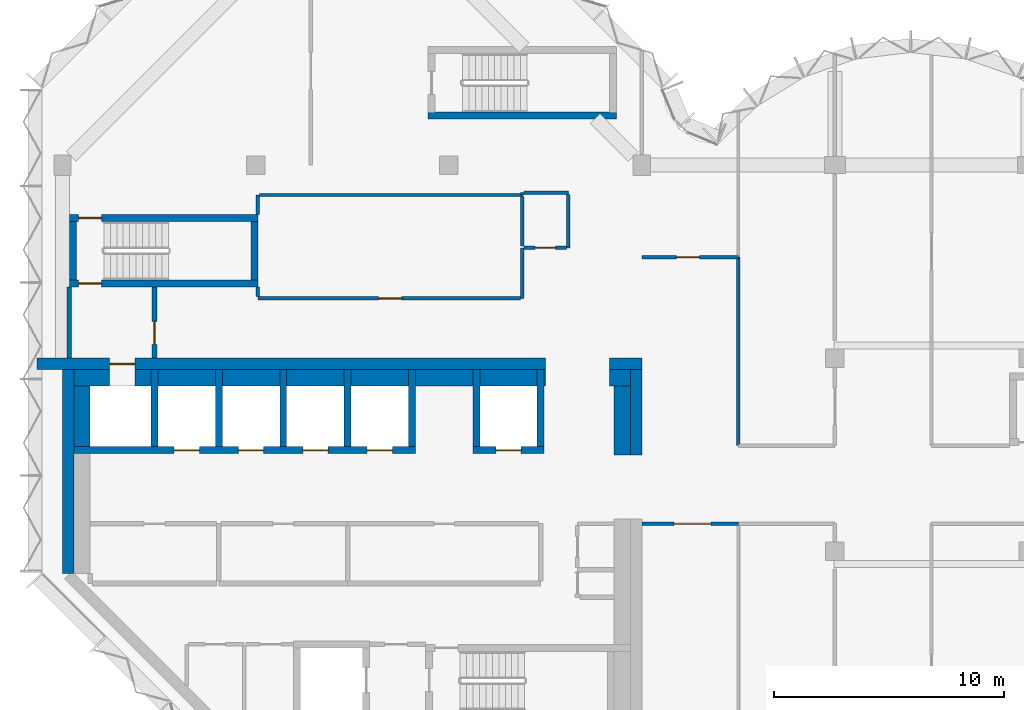
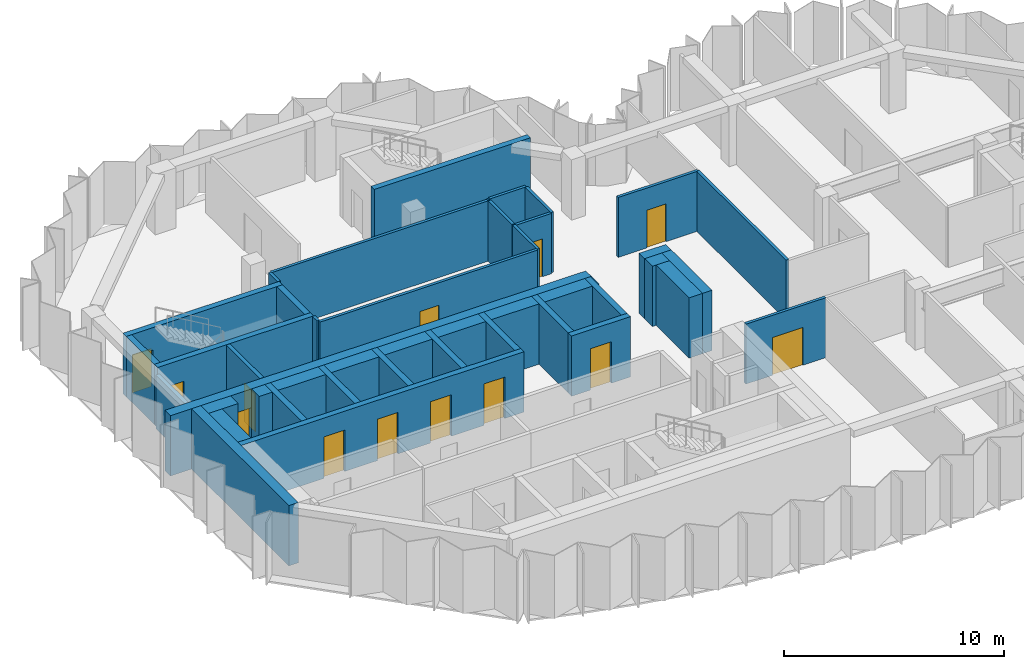
# One storey, part 7 of 11: 45 walls, 13 doors, 13 openings.
"""IFC4 building model written with IfcOpenShell, lengths in metres."""

from ifc_helpers import new_model, si_unit, direction, frame, frame_2d, origin, place, context, subcontext, project, spatial, rectangle, extrude, material, layer, layer_set, type_object, element, fill, save


model = new_model("IFC4")

# Units and contexts
model_context = context("Model", 3, precision=1e-05, world=origin(), true_north=direction((0.0, 1.0)))
body_context = subcontext(model_context, "Body", "Model", "MODEL_VIEW")
ifc_project = project(units=[si_unit("LENGTHUNIT", "METRE"), si_unit("AREAUNIT", "SQUARE_METRE"), si_unit("VOLUMEUNIT", "CUBIC_METRE"), si_unit("PLANEANGLEUNIT", "RADIAN"), si_unit("MASSUNIT", "GRAM", prefix="KILO")], contexts=[model_context])

# Site, building, storey
site_placement = place(None, origin())
site = spatial("IfcSite", under=ifc_project, at=site_placement, CompositionType="ELEMENT")
building_placement = place(site_placement, origin())
building = spatial("IfcBuilding", under=site, at=building_placement, Name="Brevane Broadcast Tower", CompositionType="ELEMENT")
storey_placement = place(building_placement, frame((0.0, 0.0, 219.300048828125)))
storey = spatial("IfcBuildingStorey", under=building, at=storey_placement, Name="L55", CompositionType="ELEMENT", Elevation=219.300048828125)

# Walls
ifc_material_1 = material(Name="Concrete C32/40", Category="concrete")
ifc_layer_1 = layer(ifc_material_1, 0.699951171875)
ifc_layer_set_1 = layer_set([ifc_layer_1], Name="Core chase wall 700 mm")
wall_type_1 = type_object("IfcWallType", Name="Core chase wall 700 mm", PredefinedType="PARTITIONING", material=ifc_layer_set_1)
wall_1_placement = place(storey_placement, frame((24.35009765625, 12.60009765625, 0.0), z_axis=(0.0, 0.0, 1.0), x_axis=(0.0, 1.0, 0.0)))
element("IfcWall", 1, at=wall_1_placement, inside=storey, type_object=wall_type_1, Name="L55 chase wall LE2", PredefinedType="PARTITIONING", context=body_context, shape_type="SweptSolid", body=[
    extrude(rectangle(XDim=3.0, YDim=0.699951171875, at=frame_2d((1.5, 0.0))), origin(), (0.0, 0.0, 1.0), 3.349853515625),
])
wall_2_placement = place(storey_placement, frame((0.5, 15.949951171875, 0.0), z_axis=(0.0, 0.0, 1.0), x_axis=(1.0, 0.0, 0.0)))
element("IfcWall", 2, at=wall_2_placement, inside=storey, type_object=wall_type_1, Name="L55 chase wall LN0", PredefinedType="PARTITIONING", context=body_context, shape_type="SweptSolid", body=[
    extrude(rectangle(XDim=1.550048828125, YDim=0.699951171875, at=frame_2d((0.77490234375, 0.0))), origin(), (0.0, 0.0, 1.0), 3.349853515625),
])
wall_3_placement = place(storey_placement, frame((23.800048828125, 15.949951171875, 0.0), z_axis=(0.0, 0.0, 1.0), x_axis=(1.0, 0.0, 0.0)))
element("IfcWall", 3, at=wall_3_placement, inside=storey, type_object=wall_type_1, Name="L55 chase wall LN2", PredefinedType="PARTITIONING", context=body_context, shape_type="SweptSolid", body=[
    extrude(rectangle(XDim=0.89990234375, YDim=0.699951171875, at=frame_2d((0.449951171875, 0.0))), origin(), (0.0, 0.0, 1.0), 3.349853515625),
])
wall_4_placement = place(storey_placement, frame((0.85009765625, 12.949951171875, 0.0), z_axis=(0.0, 0.0, 1.0), x_axis=(0.0, 1.0, 0.0)))
element("IfcWall", 4, at=wall_4_placement, inside=storey, type_object=wall_type_1, Name="L55 chase wall LW-2", PredefinedType="PARTITIONING", context=body_context, shape_type="SweptSolid", body=[
    extrude(rectangle(XDim=2.650146484375, YDim=0.699951171875, at=frame_2d((1.3251953125, 0.0))), origin(), (0.0, 0.0, 1.0), 3.349853515625),
])
wall_5_placement = place(storey_placement, frame((3.14990234375, 15.949951171875, 0.0), z_axis=(0.0, 0.0, 1.0), x_axis=(1.0, 0.0, 0.0)))
element("IfcWall", 5, at=wall_5_placement, inside=storey, type_object=wall_type_1, Name="L55 chase wall LN1-1", PredefinedType="PARTITIONING", context=body_context, shape_type="SweptSolid", body=[
    extrude(rectangle(XDim=0.7001953125, YDim=0.699951171875, at=frame_2d((0.35009765625, 0.0))), origin(), (0.0, 0.0, 1.0), 3.349853515625),
])
for number, where, z_axis, x_axis, name in (
    (6, (4.14990234375, 15.949951171875, 0.0), (0.0, 0.0, 1.0), (1.0, 0.0, 0.0), "L55 chase wall LN1-2-1"),
    (7, (6.949951171875, 15.949951171875, 0.0), (0.0, 0.0, 1.0), (1.0, 0.0, 0.0), "L55 chase wall LN1-2-2-1"),
    (8, (9.75, 15.949951171875, 0.0), (0.0, 0.0, 1.0), (1.0, 0.0, 0.0), "L55 chase wall LN1-2-2-2-1"),
    (9, (12.550048828125, 15.949951171875, 0.0), (0.0, 0.0, 1.0), (1.0, 0.0, 0.0), "L55 chase wall LN1-2-2-2-2-1"),
    (10, (15.35009765625, 15.949951171875, 0.0), (0.0, 0.0, 1.0), (1.0, 0.0, 0.0), "L55 chase wall LN1-2-2-2-2-2-1"),
    (11, (18.14990234375, 15.949951171875, 0.0), (0.0, 0.0, 1.0), (1.0, 0.0, 0.0), "L55 chase wall LN1-2-2-2-2-2-2-1"),
):
    element("IfcWall", number, at=place(storey_placement, frame(where, z_axis=z_axis, x_axis=x_axis)), inside=storey, type_object=wall_type_1, Name=name, PredefinedType="PARTITIONING", context=body_context, shape_type="SweptSolid", body=[
        extrude(rectangle(XDim=2.5, YDim=0.699951171875, at=frame_2d((1.25, 0.0))), origin(), (0.0, 0.0, 1.0), 3.349853515625),
    ])
wall_6_placement = place(storey_placement, frame((20.949951171875, 15.949951171875, 0.0), z_axis=(0.0, 0.0, 1.0), x_axis=(1.0, 0.0, 0.0)))
element("IfcWall", 12, at=wall_6_placement, inside=storey, type_object=wall_type_1, Name="L55 chase wall LN1-2-2-2-2-2-2-2", PredefinedType="PARTITIONING", context=body_context, shape_type="SweptSolid", body=[
    extrude(rectangle(XDim=0.050048828125, YDim=0.699951171875, at=frame_2d((0.02490234375, 0.0))), origin(), (0.0, 0.0, 1.0), 3.349853515625),
])
ifc_material_2 = material(Name="Gypsum board on steel studs", Category="steel")
ifc_layer_2 = layer(ifc_material_2, 0.14990234375)
ifc_layer_set_2 = layer_set([ifc_layer_2], Name="Core fire partition 150 mm")
wall_type_2 = type_object("IfcWallType", Name="Core fire partition 150 mm", PredefinedType="PARTITIONING", material=ifc_layer_set_2)
wall_7_placement = place(storey_placement, frame((20.0, 21.60009765625, 0.0), z_axis=(0.0, 0.0, 1.0), x_axis=(0.0, -1.0, 0.0)))
element("IfcWall", 13, at=wall_7_placement, inside=storey, type_object=wall_type_2, Name="L55 partition wall P22", PredefinedType="PARTITIONING", context=body_context, shape_type="SweptSolid", body=[
    extrude(rectangle(XDim=2.2001953125, YDim=0.14990234375, at=frame_2d((1.10009765625, 0.0))), origin(), (0.0, 0.0, 1.0), 3.349853515625),
])

# Wall, opening, door
wall_8_placement = place(storey_placement, frame((19.925048828125, 19.39990234375, 0.0), z_axis=(0.0, 0.0, 1.0), x_axis=(-1.0, 0.0, 0.0)))
wall_8 = element("IfcWall", 14, at=wall_8_placement, inside=storey, type_object=wall_type_2, Name="L55 partition wall P23", PredefinedType="PARTITIONING", context=body_context, shape_type="SweptSolid", body=[
    extrude(rectangle(XDim=11.425048828125, YDim=0.14990234375, at=frame_2d((5.71240234375, 0.0))), origin(), (0.0, 0.0, 1.0), 3.349853515625),
])
opening_1_placement = place(wall_8_placement, frame((5.175048828125, 0.0, 0.0)))
opening_1 = element("IfcOpeningElement", 15, at=opening_1_placement, cuts=wall_8, Name="Opening L55-K24", PredefinedType="OPENING", context=body_context, shape_type="SweptSolid", body=[
    extrude(rectangle(XDim=1.0, YDim=2.10009765625, at=frame_2d((0.5, 1.050048828125))), frame((0.0, 0.0849609375, 0.0), z_axis=(0.0, -1.0, 0.0), x_axis=(1.0, 0.0, 0.0)), (0.0, 0.0, 1.0), 0.169921875),
])
ifc_material_3 = material(Name="Steel", Category="steel")
door_type_1 = type_object("IfcDoorType", Name="Service room door 1000 x 2100", OperationType="SINGLE_SWING_LEFT", PredefinedType="DOOR", material=ifc_material_3)
door_1_placement = place(opening_1_placement, origin())
door_1 = element("IfcDoor", 16, at=door_1_placement, inside=storey, type_object=door_type_1, Name="Door L55-K24", OperationType="SINGLE_SWING_RIGHT", OverallHeight=2.10009765625, OverallWidth=1.0, PredefinedType="DOOR", context=body_context, shape_type="SweptSolid", body=[
    extrude(rectangle(XDim=1.0, YDim=2.10009765625, at=frame_2d((0.5, 1.050048828125))), frame((0.0, 0.02490234375, 0.0), z_axis=(0.0, -1.0, 0.0), x_axis=(1.0, 0.0, 0.0)), (0.0, 0.0, 1.0), 0.050048828125),
])
fill(opening_1, door_1)

# Walls
wall_9_placement = place(storey_placement, frame((8.5, 19.47509765625, 0.0), z_axis=(0.0, 0.0, 1.0), x_axis=(0.0, 1.0, 0.0)))
element("IfcWall", 17, at=wall_9_placement, inside=storey, type_object=wall_type_2, Name="L55 partition wall P24", PredefinedType="PARTITIONING", context=body_context, shape_type="SweptSolid", body=[
    extrude(rectangle(XDim=0.412841796875, YDim=0.14990234375, at=frame_2d((0.20654296875, 0.0))), origin(), (0.0, 0.0, 1.0), 3.349853515625),
])
wall_10_placement = place(storey_placement, frame((8.5, 23.06201171875, 0.0), z_axis=(0.0, 0.0, 1.0), x_axis=(0.0, 1.0, 0.0)))
element("IfcWall", 18, at=wall_10_placement, inside=storey, type_object=wall_type_2, Name="L55 partition wall P25", PredefinedType="PARTITIONING", context=body_context, shape_type="SweptSolid", body=[
    extrude(rectangle(XDim=0.837890625, YDim=0.14990234375, at=frame_2d((0.4189453125, 0.0))), origin(), (0.0, 0.0, 1.0), 3.349853515625),
])
wall_11_placement = place(storey_placement, frame((8.574951171875, 23.89990234375, 0.0), z_axis=(0.0, 0.0, 1.0), x_axis=(1.0, 0.0, 0.0)))
element("IfcWall", 19, at=wall_11_placement, inside=storey, type_object=wall_type_2, Name="L55 partition wall P26", PredefinedType="PARTITIONING", context=body_context, shape_type="SweptSolid", body=[
    extrude(rectangle(XDim=11.425048828125, YDim=0.14990234375, at=frame_2d((5.71240234375, 0.0))), origin(), (0.0, 0.0, 1.0), 3.349853515625),
])
wall_12_placement = place(storey_placement, frame((20.0, 23.89990234375, 0.0), z_axis=(0.0, 0.0, 1.0), x_axis=(0.0, 1.0, 0.0)))
element("IfcWall", 20, at=wall_12_placement, inside=storey, type_object=wall_type_2, Name="L55 partition wall P27", PredefinedType="PARTITIONING", context=body_context, shape_type="SweptSolid", body=[
    extrude(rectangle(XDim=0.10009765625, YDim=0.14990234375, at=frame_2d((0.050048828125, 0.0))), origin(), (0.0, 0.0, 1.0), 3.349853515625),
])
wall_13_placement = place(storey_placement, frame((20.074951171875, 24.0, 0.0), z_axis=(0.0, 0.0, 1.0), x_axis=(1.0, 0.0, 0.0)))
element("IfcWall", 21, at=wall_13_placement, inside=storey, type_object=wall_type_2, Name="L55 partition wall P28", PredefinedType="PARTITIONING", context=body_context, shape_type="SweptSolid", body=[
    extrude(rectangle(XDim=1.925048828125, YDim=0.14990234375, at=frame_2d((0.96240234375, 0.0))), origin(), (0.0, 0.0, 1.0), 3.349853515625),
])
wall_14_placement = place(storey_placement, frame((22.0, 23.925048828125, 0.0), z_axis=(0.0, 0.0, 1.0), x_axis=(0.0, -1.0, 0.0)))
element("IfcWall", 22, at=wall_14_placement, inside=storey, type_object=wall_type_2, Name="L55 partition wall P29", PredefinedType="PARTITIONING", context=body_context, shape_type="SweptSolid", body=[
    extrude(rectangle(XDim=2.324951171875, YDim=0.14990234375, at=frame_2d((1.16259765625, 0.0))), origin(), (0.0, 0.0, 1.0), 3.349853515625),
])

# Wall, opening, door
wall_15_placement = place(storey_placement, frame((21.925048828125, 21.60009765625, 0.0), z_axis=(0.0, 0.0, 1.0), x_axis=(-1.0, 0.0, 0.0)))
wall_15 = element("IfcWall", 23, at=wall_15_placement, inside=storey, type_object=wall_type_2, Name="L55 partition wall P30", PredefinedType="PARTITIONING", context=body_context, shape_type="SweptSolid", body=[
    extrude(rectangle(XDim=1.85009765625, YDim=0.14990234375, at=frame_2d((0.925048828125, 0.0))), origin(), (0.0, 0.0, 1.0), 3.349853515625),
])
opening_2_placement = place(wall_15_placement, frame((0.47509765625, 0.0, 0.0)))
opening_2 = element("IfcOpeningElement", 24, at=opening_2_placement, cuts=wall_15, Name="Opening L55-K23", PredefinedType="OPENING", context=body_context, shape_type="SweptSolid", body=[
    extrude(rectangle(XDim=0.89990234375, YDim=2.10009765625, at=frame_2d((0.449951171875, 1.050048828125))), frame((0.0, 0.0849609375, 0.0), z_axis=(0.0, -1.0, 0.0), x_axis=(1.0, 0.0, 0.0)), (0.0, 0.0, 1.0), 0.169921875),
])
ifc_material_4 = material(Name="Timber", Category="wood")
door_type_2 = type_object("IfcDoorType", Name="Toilet door 900 x 2100", OperationType="SINGLE_SWING_LEFT", PredefinedType="DOOR", material=ifc_material_4)
door_2_placement = place(opening_2_placement, origin())
door_2 = element("IfcDoor", 25, at=door_2_placement, inside=storey, type_object=door_type_2, Name="Door L55-K23", OperationType="SINGLE_SWING_LEFT", OverallHeight=2.10009765625, OverallWidth=0.89990234375, PredefinedType="DOOR", context=body_context, shape_type="SweptSolid", body=[
    extrude(rectangle(XDim=0.89990234375, YDim=2.10009765625, at=frame_2d((0.449951171875, 1.050048828125))), frame((0.0, 0.02490234375, 0.0), z_axis=(0.0, -1.0, 0.0), x_axis=(1.0, 0.0, 0.0)), (0.0, 0.0, 1.0), 0.050048828125),
])
fill(opening_2, door_2)

# Walls
wall_16_placement = place(storey_placement, frame((20.0, 21.675048828125, 0.0), z_axis=(0.0, 0.0, 1.0), x_axis=(0.0, 1.0, 0.0)))
element("IfcWall", 26, at=wall_16_placement, inside=storey, type_object=wall_type_2, Name="L55 partition wall P31", PredefinedType="PARTITIONING", context=body_context, shape_type="SweptSolid", body=[
    extrude(rectangle(XDim=2.14990234375, YDim=0.14990234375, at=frame_2d((1.074951171875, 0.0))), origin(), (0.0, 0.0, 1.0), 3.349853515625),
])
ifc_layer_3 = layer(ifc_material_2, 0.199951171875)
ifc_layer_set_3 = layer_set([ifc_layer_3], Name="Core fire partition 200 mm")
wall_type_3 = type_object("IfcWallType", Name="Core fire partition 200 mm", PredefinedType="PARTITIONING", material=ifc_layer_set_3)
wall_17_placement = place(storey_placement, frame((0.300048828125, 16.81201171875, 0.0), z_axis=(0.0, 0.0, 1.0), x_axis=(0.0, 1.0, 0.0)))
element("IfcWall", 27, at=wall_17_placement, inside=storey, type_object=wall_type_3, Name="L55 partition wall P01", PredefinedType="PARTITIONING", context=body_context, shape_type="SweptSolid", body=[
    extrude(rectangle(XDim=3.075927734375, YDim=0.199951171875, at=frame_2d((1.5380859375, 0.0))), origin(), (0.0, 0.0, 1.0), 2.97998046875),
])

# Wall, opening, door
wall_18_placement = place(storey_placement, frame((4.0, 19.887939453125, 0.0), z_axis=(0.0, 0.0, 1.0), x_axis=(0.0, -1.0, 0.0)))
wall_18 = element("IfcWall", 28, at=wall_18_placement, inside=storey, type_object=wall_type_3, Name="L55 partition wall P02", PredefinedType="PARTITIONING", context=body_context, shape_type="SweptSolid", body=[
    extrude(rectangle(XDim=3.075927734375, YDim=0.199951171875, at=frame_2d((1.5380859375, 0.0))), origin(), (0.0, 0.0, 1.0), 3.349853515625),
])
opening_3_placement = place(wall_18_placement, frame((1.488037109375, 0.0, 0.0)))
opening_3 = element("IfcOpeningElement", 29, at=opening_3_placement, cuts=wall_18, Name="Opening L55-K22", PredefinedType="OPENING", context=body_context, shape_type="SweptSolid", body=[
    extrude(rectangle(XDim=1.0, YDim=2.10009765625, at=frame_2d((0.5, 1.050048828125))), frame((0.0, 0.10986328125, 0.0), z_axis=(0.0, -1.0, 0.0), x_axis=(1.0, 0.0, 0.0)), (0.0, 0.0, 1.0), 0.219970703125),
])
door_type_3 = type_object("IfcDoorType", Name="Stair door 1000 x 2100", OperationType="SINGLE_SWING_LEFT", PredefinedType="DOOR", material=ifc_material_3)
door_3_placement = place(opening_3_placement, origin())
door_3 = element("IfcDoor", 30, at=door_3_placement, inside=storey, type_object=door_type_3, Name="Door L55-K22", OperationType="SINGLE_SWING_RIGHT", OverallHeight=2.10009765625, OverallWidth=1.0, PredefinedType="DOOR", context=body_context, shape_type="SweptSolid", body=[
    extrude(rectangle(XDim=1.0, YDim=2.10009765625, at=frame_2d((0.5, 1.050048828125))), frame((0.0, 0.02490234375, 0.0), z_axis=(0.0, -1.0, 0.0), x_axis=(1.0, 0.0, 0.0)), (0.0, 0.0, 1.0), 0.050048828125),
])
fill(opening_3, door_3)

# Wall, openings, doors
ifc_material_5 = material(Name="Concrete C50/60", Category="concrete")
ifc_layer_4 = layer(ifc_material_5, 0.300048828125)
ifc_layer_set_4 = layer_set([ifc_layer_4], Name="Core wall 300 mm C50/60")
wall_type_4 = type_object("IfcWallType", Name="Core wall 300 mm C50/60", PredefinedType="SHEAR", material=ifc_layer_set_4)
wall_19_placement = place(storey_placement, frame((0.5, 12.800048828125, 0.0), z_axis=(0.0, 0.0, 1.0), x_axis=(1.0, 0.0, 0.0)))
wall_19 = element("IfcWall", 31, at=wall_19_placement, inside=storey, type_object=wall_type_4, Name="L55 shaft wall SH-N012-front", PredefinedType="SHEAR", context=body_context, shape_type="SweptSolid", body=[
    extrude(rectangle(XDim=14.85009765625, YDim=0.300048828125, at=frame_2d((7.425048828125, 0.0))), origin(), (0.0, 0.0, 1.0), 3.349853515625),
])
opening_4_placement = place(wall_19_placement, frame((4.35009765625, 0.0, 0.0)))
opening_4 = element("IfcOpeningElement", 32, at=opening_4_placement, cuts=wall_19, Name="Opening LD", PredefinedType="OPENING", context=body_context, shape_type="SweptSolid", body=[
    extrude(rectangle(XDim=1.10009765625, YDim=2.300048828125, at=frame_2d((0.550048828125, 1.14990234375))), frame((0.0, 0.159912109375, 0.0), z_axis=(0.0, -1.0, 0.0), x_axis=(1.0, 0.0, 0.0)), (0.0, 0.0, 1.0), 0.320068359375),
])
opening_5_placement = place(wall_19_placement, frame((7.14990234375, 0.0, 0.0)))
opening_5 = element("IfcOpeningElement", 33, at=opening_5_placement, cuts=wall_19, Name="Opening LD", PredefinedType="OPENING", context=body_context, shape_type="SweptSolid", body=[
    extrude(rectangle(XDim=1.10009765625, YDim=2.300048828125, at=frame_2d((0.550048828125, 1.14990234375))), frame((0.0, 0.159912109375, 0.0), z_axis=(0.0, -1.0, 0.0), x_axis=(1.0, 0.0, 0.0)), (0.0, 0.0, 1.0), 0.320068359375),
])
opening_6_placement = place(wall_19_placement, frame((9.949951171875, 0.0, 0.0)))
opening_6 = element("IfcOpeningElement", 34, at=opening_6_placement, cuts=wall_19, Name="Opening LD", PredefinedType="OPENING", context=body_context, shape_type="SweptSolid", body=[
    extrude(rectangle(XDim=1.10009765625, YDim=2.300048828125, at=frame_2d((0.550048828125, 1.14990234375))), frame((0.0, 0.159912109375, 0.0), z_axis=(0.0, -1.0, 0.0), x_axis=(1.0, 0.0, 0.0)), (0.0, 0.0, 1.0), 0.320068359375),
])
opening_7_placement = place(wall_19_placement, frame((12.75, 0.0, 0.0)))
opening_7 = element("IfcOpeningElement", 35, at=opening_7_placement, cuts=wall_19, Name="Opening LD", PredefinedType="OPENING", context=body_context, shape_type="SweptSolid", body=[
    extrude(rectangle(XDim=1.10009765625, YDim=2.300048828125, at=frame_2d((0.550048828125, 1.14990234375))), frame((0.0, 0.159912109375, 0.0), z_axis=(0.0, -1.0, 0.0), x_axis=(1.0, 0.0, 0.0)), (0.0, 0.0, 1.0), 0.320068359375),
])
ifc_material_6 = material(Name="Stainless steel", Category="steel")
door_type_4 = type_object("IfcDoorType", Name="Lift landing door", OperationType="SLIDING_TO_LEFT", PredefinedType="DOOR", material=ifc_material_6)
door_4_placement = place(opening_4_placement, origin())
door_4 = element("IfcDoor", 36, at=door_4_placement, inside=storey, type_object=door_type_4, Name="Landing door HR1 L55", OperationType="SLIDING_TO_LEFT", OverallHeight=2.300048828125, OverallWidth=1.10009765625, PredefinedType="DOOR", context=body_context, shape_type="SweptSolid", body=[
    extrude(rectangle(XDim=1.10009765625, YDim=2.300048828125, at=frame_2d((0.550048828125, 1.14990234375))), frame((0.0, 0.02490234375, 0.0), z_axis=(0.0, -1.0, 0.0), x_axis=(1.0, 0.0, 0.0)), (0.0, 0.0, 1.0), 0.050048828125),
])
fill(opening_4, door_4)
door_5_placement = place(opening_5_placement, origin())
door_5 = element("IfcDoor", 37, at=door_5_placement, inside=storey, type_object=door_type_4, Name="Landing door HR2 L55", OperationType="SLIDING_TO_LEFT", OverallHeight=2.300048828125, OverallWidth=1.10009765625, PredefinedType="DOOR", context=body_context, shape_type="SweptSolid", body=[
    extrude(rectangle(XDim=1.10009765625, YDim=2.300048828125, at=frame_2d((0.550048828125, 1.14990234375))), frame((0.0, 0.02490234375, 0.0), z_axis=(0.0, -1.0, 0.0), x_axis=(1.0, 0.0, 0.0)), (0.0, 0.0, 1.0), 0.050048828125),
])
fill(opening_5, door_5)
door_6_placement = place(opening_6_placement, origin())
door_6 = element("IfcDoor", 38, at=door_6_placement, inside=storey, type_object=door_type_4, Name="Landing door HR3 L55", OperationType="SLIDING_TO_LEFT", OverallHeight=2.300048828125, OverallWidth=1.10009765625, PredefinedType="DOOR", context=body_context, shape_type="SweptSolid", body=[
    extrude(rectangle(XDim=1.10009765625, YDim=2.300048828125, at=frame_2d((0.550048828125, 1.14990234375))), frame((0.0, 0.02490234375, 0.0), z_axis=(0.0, -1.0, 0.0), x_axis=(1.0, 0.0, 0.0)), (0.0, 0.0, 1.0), 0.050048828125),
])
fill(opening_6, door_6)
door_7_placement = place(opening_7_placement, origin())
door_7 = element("IfcDoor", 39, at=door_7_placement, inside=storey, type_object=door_type_4, Name="Landing door HR4 L55", OperationType="SLIDING_TO_LEFT", OverallHeight=2.300048828125, OverallWidth=1.10009765625, PredefinedType="DOOR", context=body_context, shape_type="SweptSolid", body=[
    extrude(rectangle(XDim=1.10009765625, YDim=2.300048828125, at=frame_2d((0.550048828125, 1.14990234375))), frame((0.0, 0.02490234375, 0.0), z_axis=(0.0, -1.0, 0.0), x_axis=(1.0, 0.0, 0.0)), (0.0, 0.0, 1.0), 0.050048828125),
])
fill(opening_7, door_7)

# Walls
for number, where, z_axis, x_axis, name in (
    (40, (4.0, 12.949951171875, 0.0), (0.0, 0.0, 1.0), (0.0, 1.0, 0.0), "L55 shaft wall SH-N-P040"),
    (41, (6.800048828125, 12.949951171875, 0.0), (0.0, 0.0, 1.0), (0.0, 1.0, 0.0), "L55 shaft wall SH-N-P068"),
    (42, (9.60009765625, 12.949951171875, 0.0), (0.0, 0.0, 1.0), (0.0, 1.0, 0.0), "L55 shaft wall SH-N-P096"),
    (43, (12.39990234375, 12.949951171875, 0.0), (0.0, 0.0, 1.0), (0.0, 1.0, 0.0), "L55 shaft wall SH-N-P124"),
    (44, (15.199951171875, 12.949951171875, 0.0), (0.0, 0.0, 1.0), (0.0, 1.0, 0.0), "L55 shaft wall SH-N-P152"),
):
    element("IfcWall", number, at=place(storey_placement, frame(where, z_axis=z_axis, x_axis=x_axis)), inside=storey, type_object=wall_type_4, Name=name, PredefinedType="SHEAR", context=body_context, shape_type="SweptSolid", body=[
        extrude(rectangle(XDim=3.35009765625, YDim=0.300048828125, at=frame_2d((1.675048828125, 0.0))), origin(), (0.0, 0.0, 1.0), 3.349853515625),
    ])

# Wall, opening, door
wall_20_placement = place(storey_placement, frame((17.85009765625, 12.800048828125, 0.0), z_axis=(0.0, 0.0, 1.0), x_axis=(1.0, 0.0, 0.0)))
wall_20 = element("IfcWall", 45, at=wall_20_placement, inside=storey, type_object=wall_type_4, Name="L55 shaft wall SH-N180-front", PredefinedType="SHEAR", context=body_context, shape_type="SweptSolid", body=[
    extrude(rectangle(XDim=3.099853515625, YDim=0.300048828125, at=frame_2d((1.5498046875, 0.0))), origin(), (0.0, 0.0, 1.0), 3.349853515625),
])
opening_8_placement = place(wall_20_placement, frame((1.0, 0.0, 0.0)))
opening_8 = element("IfcOpeningElement", 46, at=opening_8_placement, cuts=wall_20, Name="Opening LD", PredefinedType="OPENING", context=body_context, shape_type="SweptSolid", body=[
    extrude(rectangle(XDim=1.10009765625, YDim=2.300048828125, at=frame_2d((0.550048828125, 1.14990234375))), frame((0.0, 0.159912109375, 0.0), z_axis=(0.0, -1.0, 0.0), x_axis=(1.0, 0.0, 0.0)), (0.0, 0.0, 1.0), 0.320068359375),
])
door_8_placement = place(opening_8_placement, origin())
door_8 = element("IfcDoor", 47, at=door_8_placement, inside=storey, type_object=door_type_4, Name="Landing door SL1 L55", OperationType="SLIDING_TO_LEFT", OverallHeight=2.300048828125, OverallWidth=1.10009765625, PredefinedType="DOOR", context=body_context, shape_type="SweptSolid", body=[
    extrude(rectangle(XDim=1.10009765625, YDim=2.300048828125, at=frame_2d((0.550048828125, 1.14990234375))), frame((0.0, 0.02490234375, 0.0), z_axis=(0.0, -1.0, 0.0), x_axis=(1.0, 0.0, 0.0)), (0.0, 0.0, 1.0), 0.050048828125),
])
fill(opening_8, door_8)

# Walls
for number, where, z_axis, x_axis, name in (
    (48, (18.0, 12.949951171875, 0.0), (0.0, 0.0, 1.0), (0.0, 1.0, 0.0), "L55 shaft wall SH-N-P180"),
    (49, (20.800048828125, 12.949951171875, 0.0), (0.0, 0.0, 1.0), (0.0, 1.0, 0.0), "L55 shaft wall SH-N-P208"),
):
    element("IfcWall", number, at=place(storey_placement, frame(where, z_axis=z_axis, x_axis=x_axis)), inside=storey, type_object=wall_type_4, Name=name, PredefinedType="SHEAR", context=body_context, shape_type="SweptSolid", body=[
        extrude(rectangle(XDim=3.35009765625, YDim=0.300048828125, at=frame_2d((1.675048828125, 0.0))), origin(), (0.0, 0.0, 1.0), 3.349853515625),
    ])

# Wall, opening, door
wall_21_placement = place(storey_placement, frame((8.5, 20.050048828125, 0.0), z_axis=(0.0, 0.0, 1.0), x_axis=(-1.0, 0.0, 0.0)))
wall_21 = element("IfcWall", 50, at=wall_21_placement, inside=storey, type_object=wall_type_4, Name="L55 stair wall ST-1-S", PredefinedType="SHEAR", context=body_context, shape_type="SweptSolid", body=[
    extrude(rectangle(XDim=8.199951171875, YDim=0.300048828125, at=frame_2d((4.10009765625, 0.0))), origin(), (0.0, 0.0, 1.0), 3.349853515625),
])
opening_9_placement = place(wall_21_placement, frame((6.800048828125, 0.0, 0.0)))
opening_9 = element("IfcOpeningElement", 51, at=opening_9_placement, cuts=wall_21, Name="Opening L55-K08", PredefinedType="OPENING", context=body_context, shape_type="SweptSolid", body=[
    extrude(rectangle(XDim=1.0, YDim=2.10009765625, at=frame_2d((0.5, 1.050048828125))), frame((0.0, 0.159912109375, 0.0), z_axis=(0.0, -1.0, 0.0), x_axis=(1.0, 0.0, 0.0)), (0.0, 0.0, 1.0), 0.320068359375),
])
door_9_placement = place(opening_9_placement, origin())
door_9 = element("IfcDoor", 52, at=door_9_placement, inside=storey, type_object=door_type_3, Name="Door L55-K08", OperationType="SINGLE_SWING_RIGHT", OverallHeight=2.10009765625, OverallWidth=1.0, PredefinedType="DOOR", context=body_context, shape_type="SweptSolid", body=[
    extrude(rectangle(XDim=1.0, YDim=2.10009765625, at=frame_2d((0.5, 1.050048828125))), frame((0.0, 0.02490234375, 0.0), z_axis=(0.0, -1.0, 0.0), x_axis=(1.0, 0.0, 0.0)), (0.0, 0.0, 1.0), 0.050048828125),
])
fill(opening_9, door_9)

wall_22_placement = place(storey_placement, frame((0.300048828125, 22.89990234375, 0.0), z_axis=(0.0, 0.0, 1.0), x_axis=(1.0, 0.0, 0.0)))
wall_22 = element("IfcWall", 53, at=wall_22_placement, inside=storey, type_object=wall_type_4, Name="L55 stair wall ST-1-N", PredefinedType="SHEAR", context=body_context, shape_type="SweptSolid", body=[
    extrude(rectangle(XDim=8.199951171875, YDim=0.300048828125, at=frame_2d((4.10009765625, 0.0))), origin(), (0.0, 0.0, 1.0), 3.349853515625),
])
opening_10_placement = place(wall_22_placement, frame((0.39990234375, 0.0, 0.0)))
opening_10 = element("IfcOpeningElement", 54, at=opening_10_placement, cuts=wall_22, Name="Opening L55-K09", PredefinedType="OPENING", context=body_context, shape_type="SweptSolid", body=[
    extrude(rectangle(XDim=1.0, YDim=2.10009765625, at=frame_2d((0.5, 1.050048828125))), frame((0.0, 0.159912109375, 0.0), z_axis=(0.0, -1.0, 0.0), x_axis=(1.0, 0.0, 0.0)), (0.0, 0.0, 1.0), 0.320068359375),
])
door_10_placement = place(opening_10_placement, origin())
door_10 = element("IfcDoor", 55, at=door_10_placement, inside=storey, type_object=door_type_3, Name="Door L55-K09", OperationType="SINGLE_SWING_LEFT", OverallHeight=2.10009765625, OverallWidth=1.0, PredefinedType="DOOR", context=body_context, shape_type="SweptSolid", body=[
    extrude(rectangle(XDim=1.0, YDim=2.10009765625, at=frame_2d((0.5, 1.050048828125))), frame((0.0, 0.02490234375, 0.0), z_axis=(0.0, -1.0, 0.0), x_axis=(1.0, 0.0, 0.0)), (0.0, 0.0, 1.0), 0.050048828125),
])
fill(opening_10, door_10)

# Walls
for number, where, z_axis, x_axis, name in (
    (56, (0.449951171875, 20.199951171875, 0.0), (0.0, 0.0, 1.0), (0.0, 1.0, 0.0), "L55 stair wall ST-1-W"),
    (57, (8.35009765625, 20.199951171875, 0.0), (0.0, 0.0, 1.0), (0.0, 1.0, 0.0), "L55 stair wall ST-1-E"),
):
    element("IfcWall", number, at=place(storey_placement, frame(where, z_axis=z_axis, x_axis=x_axis)), inside=storey, type_object=wall_type_4, Name=name, PredefinedType="SHEAR", context=body_context, shape_type="SweptSolid", body=[
        extrude(rectangle(XDim=2.550048828125, YDim=0.300048828125, at=frame_2d((1.27490234375, 0.0))), origin(), (0.0, 0.0, 1.0), 3.349853515625),
    ])
wall_23_placement = place(storey_placement, frame((15.89990234375, 27.35009765625, 0.0), z_axis=(0.0, 0.0, 1.0), x_axis=(1.0, 0.0, 0.0)))
element("IfcWall", 58, at=wall_23_placement, inside=storey, type_object=wall_type_4, Name="L55 stair wall ST-3-S", PredefinedType="SHEAR", context=body_context, shape_type="SweptSolid", body=[
    extrude(rectangle(XDim=8.2001953125, YDim=0.300048828125, at=frame_2d((4.10009765625, 0.0))), origin(), (0.0, 0.0, 1.0), 3.349853515625),
])

# Wall, opening, door
ifc_layer_5 = layer(ifc_material_5, 0.5)
ifc_layer_set_5 = layer_set([ifc_layer_5], Name="Core wall 500 mm C50/60")
wall_type_5 = type_object("IfcWallType", Name="Core wall 500 mm C50/60", PredefinedType="SHEAR", material=ifc_layer_set_5)
wall_24_placement = place(storey_placement, frame((-1.10009765625, 16.550048828125, 0.0), z_axis=(0.0, 0.0, 1.0), x_axis=(1.0, 0.0, 0.0)))
wall_24 = element("IfcWall", 59, at=wall_24_placement, inside=storey, type_object=wall_type_5, Name="L55 outer wall WN1", PredefinedType="SHEAR", context=body_context, shape_type="SweptSolid", body=[
    extrude(rectangle(XDim=22.10009765625, YDim=0.5, at=frame_2d((11.050048828125, 0.0))), origin(), (0.0, 0.0, 1.0), 3.349853515625),
])
opening_11_placement = place(wall_24_placement, frame((3.14990234375, 0.0, 0.0)))
opening_11 = element("IfcOpeningElement", 60, at=opening_11_placement, cuts=wall_24, Name="Opening LD", PredefinedType="OPENING", context=body_context, shape_type="SweptSolid", body=[
    extrude(rectangle(XDim=1.10009765625, YDim=2.300048828125, at=frame_2d((0.550048828125, 1.14990234375))), frame((0.0, 0.260009765625, 0.0), z_axis=(0.0, -1.0, 0.0), x_axis=(1.0, 0.0, 0.0)), (0.0, 0.0, 1.0), 0.52001953125),
])
door_11_placement = place(opening_11_placement, origin())
door_11 = element("IfcDoor", 61, at=door_11_placement, inside=storey, type_object=door_type_4, Name="Landing door FF1 L55", OperationType="SLIDING_TO_LEFT", OverallHeight=2.300048828125, OverallWidth=1.10009765625, PredefinedType="DOOR", context=body_context, shape_type="SweptSolid", body=[
    extrude(rectangle(XDim=1.10009765625, YDim=2.300048828125, at=frame_2d((0.550048828125, 1.14990234375))), frame((0.0, 0.02490234375, 0.0), z_axis=(0.0, -1.0, 0.0), x_axis=(1.0, 0.0, 0.0)), (0.0, 0.0, 1.0), 0.050048828125),
])
fill(opening_11, door_11)

# Walls
wall_25_placement = place(storey_placement, frame((23.800048828125, 16.550048828125, 0.0), z_axis=(0.0, 0.0, 1.0), x_axis=(1.0, 0.0, 0.0)))
element("IfcWall", 62, at=wall_25_placement, inside=storey, type_object=wall_type_5, Name="L55 outer wall WN2", PredefinedType="SHEAR", context=body_context, shape_type="SweptSolid", body=[
    extrude(rectangle(XDim=1.39990234375, YDim=0.5, at=frame_2d((0.699951171875, 0.0))), origin(), (0.0, 0.0, 1.0), 3.349853515625),
])
wall_26_placement = place(storey_placement, frame((0.25, 7.436279296875, 0.0), z_axis=(0.0, 0.0, 1.0), x_axis=(0.0, 1.0, 0.0)))
element("IfcWall", 63, at=wall_26_placement, inside=storey, type_object=wall_type_5, Name="L55 outer wall WW", PredefinedType="SHEAR", context=body_context, shape_type="SweptSolid", body=[
    extrude(rectangle(XDim=8.86376953125, YDim=0.5, at=frame_2d((4.431884765625, 0.0))), origin(), (0.0, 0.0, 1.0), 3.349853515625),
])
wall_27_placement = place(storey_placement, frame((24.949951171875, 12.60009765625, 0.0), z_axis=(0.0, 0.0, 1.0), x_axis=(0.0, 1.0, 0.0)))
element("IfcWall", 64, at=wall_27_placement, inside=storey, type_object=wall_type_5, Name="L55 outer wall WE2", PredefinedType="SHEAR", context=body_context, shape_type="SweptSolid", body=[
    extrude(rectangle(XDim=3.699951171875, YDim=0.5, at=frame_2d((1.85009765625, 0.0))), origin(), (0.0, 0.0, 1.0), 3.349853515625),
])

# Wall, opening, door
ifc_material_7 = material(Name="Gypsum board partition")
ifc_layer_6 = layer(ifc_material_7, 0.14990234375)
ifc_layer_set_6 = layer_set([ifc_layer_6], Name="PARTITION 150 EI 60")
wall_type_6 = type_object("IfcWallType", Name="PARTITION 150 EI 60", PredefinedType="PARTITIONING", material=ifc_layer_set_6)
wall_28_placement = place(storey_placement, frame((25.199951171875, 21.199951171875, 0.0), z_axis=(0.0, 0.0, 1.0), x_axis=(1.0, 0.0, 0.0)))
wall_28 = element("IfcWall", 65, at=wall_28_placement, inside=storey, type_object=wall_type_6, Name="Partition G16-001", PredefinedType="PARTITIONING", context=body_context, shape_type="SweptSolid", body=[
    extrude(rectangle(XDim=4.199951171875, YDim=0.14990234375, at=frame_2d((2.10009765625, 0.0))), origin(), (0.0, 0.0, 1.0), 3.329833984375),
])
opening_12_placement = place(wall_28_placement, frame((1.5, 0.0, 0.0)))
opening_12 = element("IfcOpeningElement", 66, at=opening_12_placement, cuts=wall_28, Name="Opening D27-001", PredefinedType="OPENING", context=body_context, shape_type="SweptSolid", body=[
    extrude(rectangle(XDim=1.0, YDim=2.10009765625, at=frame_2d((0.5, 1.050048828125))), frame((0.0, 0.0849609375, 0.0), z_axis=(0.0, -1.0, 0.0), x_axis=(1.0, 0.0, 0.0)), (0.0, 0.0, 1.0), 0.169921875),
])
ifc_material_8 = material(Name="Fire-rated timber door leaf", Category="wood")
door_type_5 = type_object("IfcDoorType", Name="DOOR SINGLE 1000 FD30S", OperationType="SINGLE_SWING_LEFT", PredefinedType="DOOR", material=ifc_material_8)
door_12_placement = place(opening_12_placement, origin())
door_12 = element("IfcDoor", 67, at=door_12_placement, inside=storey, type_object=door_type_5, Name="Door D27-001", OperationType="SINGLE_SWING_LEFT", OverallHeight=2.10009765625, OverallWidth=1.0, PredefinedType="DOOR", context=body_context, shape_type="SweptSolid", body=[
    extrude(rectangle(XDim=1.0, YDim=2.10009765625, at=frame_2d((0.5, 1.050048828125))), frame((0.0, 0.02490234375, 0.0), z_axis=(0.0, -1.0, 0.0), x_axis=(1.0, 0.0, 0.0)), (0.0, 0.0, 1.0), 0.050048828125),
])
fill(opening_12, door_12)

wall_29_placement = place(storey_placement, frame((29.39990234375, 9.60009765625, 0.0), z_axis=(0.0, 0.0, 1.0), x_axis=(-1.0, 0.0, 0.0)))
wall_29 = element("IfcWall", 68, at=wall_29_placement, inside=storey, type_object=wall_type_6, Name="Partition G16-002", PredefinedType="PARTITIONING", context=body_context, shape_type="SweptSolid", body=[
    extrude(rectangle(XDim=4.199951171875, YDim=0.14990234375, at=frame_2d((2.10009765625, 0.0))), origin(), (0.0, 0.0, 1.0), 3.329833984375),
])
opening_13_placement = place(wall_29_placement, frame((1.199951171875, 0.0, 0.0)))
opening_13 = element("IfcOpeningElement", 69, at=opening_13_placement, cuts=wall_29, Name="Opening D27-002", PredefinedType="OPENING", context=body_context, shape_type="SweptSolid", body=[
    extrude(rectangle(XDim=1.60009765625, YDim=2.10009765625, at=frame_2d((0.800048828125, 1.050048828125))), frame((0.0, 0.0849609375, 0.0), z_axis=(0.0, -1.0, 0.0), x_axis=(1.0, 0.0, 0.0)), (0.0, 0.0, 1.0), 0.169921875),
])
door_type_6 = type_object("IfcDoorType", Name="DOOR DOUBLE 1600 FD30S", OperationType="DOUBLE_DOOR_SINGLE_SWING", PredefinedType="DOOR", material=ifc_material_8)
door_13_placement = place(opening_13_placement, origin())
door_13 = element("IfcDoor", 70, at=door_13_placement, inside=storey, type_object=door_type_6, Name="Door D27-002", OperationType="DOUBLE_DOOR_SINGLE_SWING", OverallHeight=2.10009765625, OverallWidth=1.60009765625, PredefinedType="DOOR", context=body_context, shape_type="SweptSolid", body=[
    extrude(rectangle(XDim=1.60009765625, YDim=2.10009765625, at=frame_2d((0.800048828125, 1.050048828125))), frame((0.0, 0.02490234375, 0.0), z_axis=(0.0, -1.0, 0.0), x_axis=(1.0, 0.0, 0.0)), (0.0, 0.0, 1.0), 0.050048828125),
])
fill(opening_13, door_13)

# Wall
wall_30_placement = place(storey_placement, frame((29.39990234375, 21.199951171875, 0.0), z_axis=(0.0, 0.0, 1.0), x_axis=(0.0, -1.0, 0.0)))
element("IfcWall", 71, at=wall_30_placement, inside=storey, type_object=wall_type_6, Name="Partition G16-003", PredefinedType="PARTITIONING", context=body_context, shape_type="SweptSolid", body=[
    extrude(rectangle(XDim=8.199951171875, YDim=0.14990234375, at=frame_2d((4.10009765625, 0.0))), origin(), (0.0, 0.0, 1.0), 3.329833984375),
])

save(model, "model.ifc")
